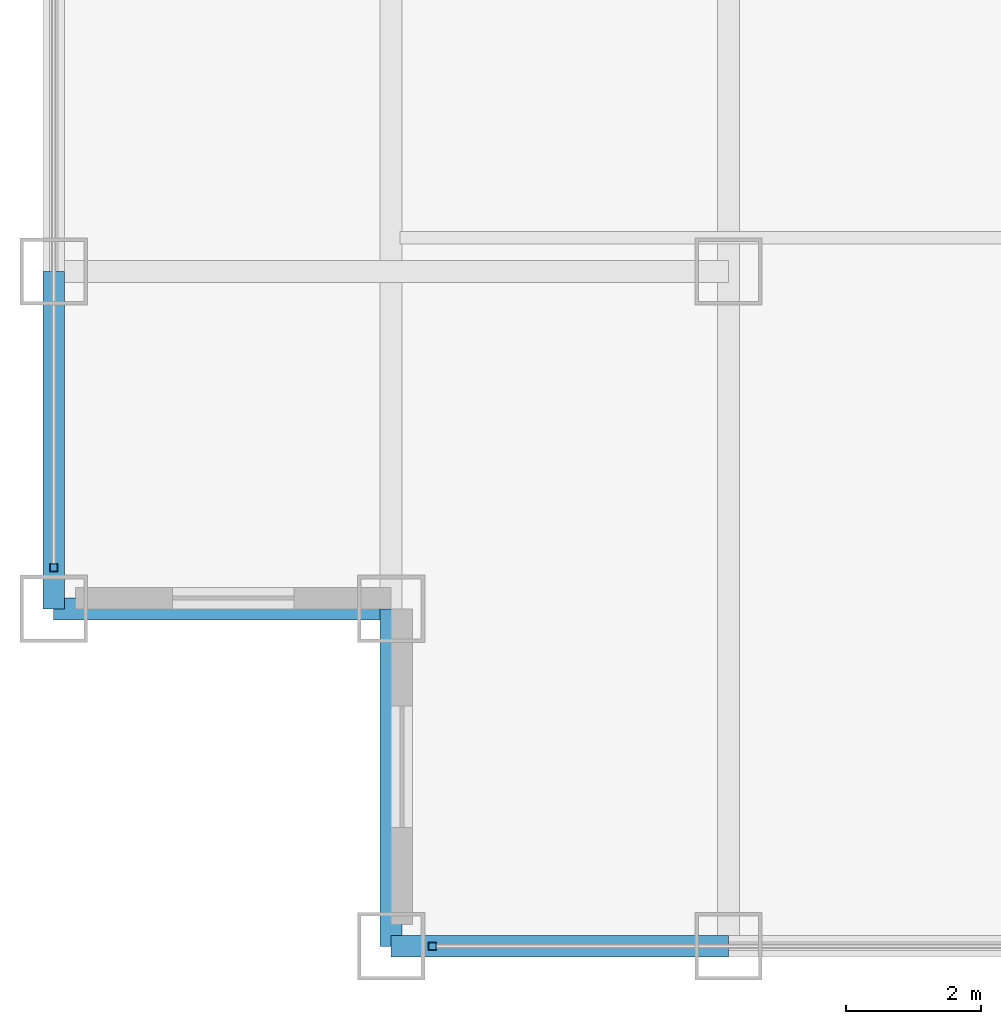
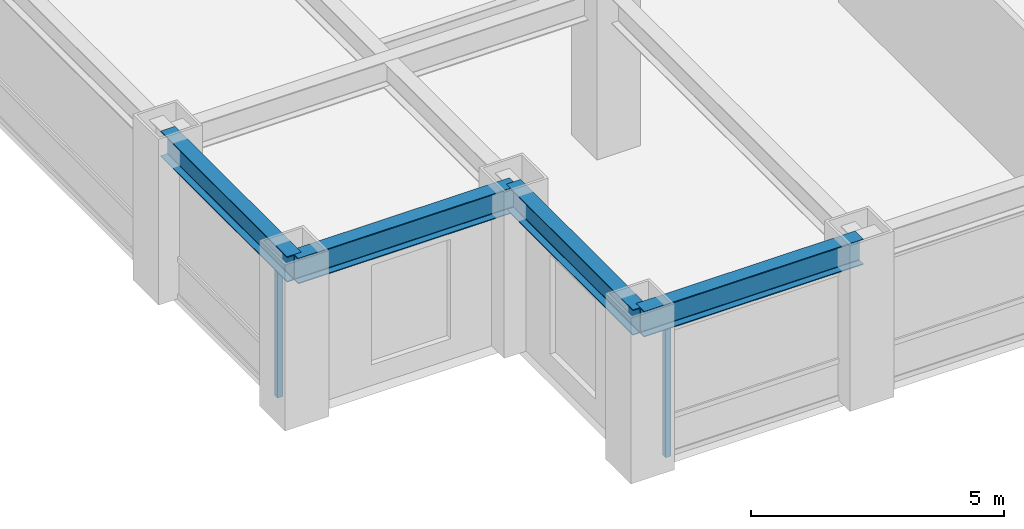
# One storey, part 2 of 25: 4 beams, 2 members, 2 elements without a shape of their own.
"""IFC4 building model written with IfcOpenShell, lengths in metres."""

from ifc_helpers import new_model, si_unit, direction, frame, origin, origin_2d, place, context, subcontext, project, spatial, hollow_rectangle, i_section, extrude, source, transform, mapped, material, material_profile, profile_set, type_object, element, aggregate, save


model = new_model("IFC4")

# Units and contexts
model_context = context("Model", 3, precision=1e-05, world=origin(), true_north=direction((0.0, 1.0)))
body_context = subcontext(model_context, "Body", "Model", "MODEL_VIEW")
ifc_project = project(units=[si_unit("LENGTHUNIT", "METRE"), si_unit("AREAUNIT", "SQUARE_METRE"), si_unit("VOLUMEUNIT", "CUBIC_METRE"), si_unit("PLANEANGLEUNIT", "RADIAN"), si_unit("MASSUNIT", "GRAM", prefix="KILO")], contexts=[model_context])

# Site, building, storey
site_placement = place(None, origin())
site = spatial("IfcSite", under=ifc_project, at=site_placement, CompositionType="ELEMENT")
building_placement = place(site_placement, origin())
building = spatial("IfcBuilding", under=site, at=building_placement, Name="Khorayat Bourse Tower", CompositionType="ELEMENT")
storey_placement = place(building_placement, frame((0.0, 0.0, 255.10009765625)))
storey = spatial("IfcBuildingStorey", under=building, at=storey_placement, Name="L60", CompositionType="ELEMENT", Elevation=255.10009765625)

# Beams
ifc_material_1 = material(Name="Steel ASTM A992 Grade 50", Category="steel")
ifc_material_profile_1 = material_profile(ifc_material_1, i_section(OverallWidth=0.324951171875, OverallDepth=0.615966796875, WebThickness=0.013916015625, FlangeThickness=0.021484375, FilletRadius=0.01611328125, at=origin_2d()), Name="W610X174")
ifc_profile_set_1 = profile_set([ifc_material_profile_1], Name="Steel ASTM A992 Grade 50")
beam_type = type_object("IfcBeamType", Name="BM-SPAN-610", PredefinedType="SPANDREL", material=ifc_profile_set_1)
shared_shape_1 = source(origin(), body_context, "Body", "SweptSolid", [
    extrude(i_section(OverallWidth=0.324951171875, OverallDepth=0.615966796875, WebThickness=0.013916015625, FlangeThickness=0.021484375, FilletRadius=0.01611328125, at=origin_2d()), origin(), (0.0, 0.0, 1.0), 5.0),
])
for number, where, z_axis, x_axis, name in (
    (1, (-25.0, -30.0, 3.471923828125), (1.0, 0.0, 0.0), (0.0, 1.0, 0.0), "L60 BM-SPAN-610 BM-L60-SPN-024"),
    (2, (-30.0, -25.0, 3.471923828125), (0.0, 1.0, 0.0), (-1.0, 0.0, 0.0), "L60 BM-SPAN-610 BM-L60-SPN-061"),
    (3, (-30.0, -25.0, 3.471923828125), (1.0, 0.0, 0.0), (0.0, 1.0, 0.0), "L60 BM-SPAN-610 BM-L60-SPN-062"),
    (4, (-25.0, -30.0, 3.471923828125), (0.0, 1.0, 0.0), (-1.0, 0.0, 0.0), "L60 BM-SPAN-610 BM-L60-SPN-063"),
):
    element("IfcBeam", number, at=place(storey_placement, frame(where, z_axis=z_axis, x_axis=x_axis)), inside=storey, type_object=beam_type, Name=name, PredefinedType="SPANDREL", context=body_context, shape_type="MappedRepresentation", body=[
        mapped(shared_shape_1, transform((0.0, 0.0, 0.0), scale=1.0)),
    ])

# Curtain wall, member
ifc_material_2 = material(Name="Aluminium EN AW-6063 T6", Category="aluminium")
curtain_wall_type = type_object("IfcCurtainWallType", Name="CW-SYS-03", PredefinedType="NOTDEFINED", material=ifc_material_2)
curtain_wall_1_placement = place(storey_placement, origin())
curtain_wall_1 = element("IfcCurtainWall", 5, at=curtain_wall_1_placement, inside=storey, type_object=curtain_wall_type, Name="L60 Curtain Wall CW-L60-S1", PredefinedType="NOTDEFINED")
ifc_material_profile_2 = material_profile(ifc_material_2, hollow_rectangle(XDim=0.1201171875, YDim=0.1201171875, WallThickness=0.0048828125, at=origin_2d()), Name="ALU 120x120x5")
ifc_profile_set_2 = profile_set([ifc_material_profile_2], Name="Aluminium EN AW-6063 T6")
member_type = type_object("IfcMemberType", Name="CWM-VERT-120", PredefinedType="MULLION", material=ifc_profile_set_2)
shared_shape_2 = source(origin(), body_context, "Body", "SweptSolid", [
    extrude(hollow_rectangle(XDim=0.1201171875, YDim=0.1201171875, WallThickness=0.0048828125, at=origin_2d()), origin(), (0.0, 0.0, 1.0), 3.1298828125),
])
member_1_placement = place(storey_placement, frame((-24.389892578125, -30.0, 0.0), z_axis=(0.0, 0.0, 1.0), x_axis=(0.0, 1.0, 0.0)))
member_1 = element("IfcMember", 6, at=member_1_placement, type_object=member_type, Name="CW-L60-S1 Vertical Mullion 1", PredefinedType="MULLION", context=body_context, shape_type="MappedRepresentation", body=[
    mapped(shared_shape_2, transform((0.0, 0.0, 0.0), scale=1.0)),
])
aggregate(curtain_wall_1, [member_1])

curtain_wall_2_placement = place(storey_placement, origin())
curtain_wall_2 = element("IfcCurtainWall", 7, at=curtain_wall_2_placement, inside=storey, type_object=curtain_wall_type, Name="L60 Curtain Wall CW-L60-W1", PredefinedType="NOTDEFINED")
member_2_placement = place(storey_placement, frame((-30.0, -24.389892578125, 0.0), z_axis=(0.0, 0.0, 1.0), x_axis=(-1.0, 0.0, 0.0)))
member_2 = element("IfcMember", 8, at=member_2_placement, type_object=member_type, Name="CW-L60-W1 Vertical Mullion 1", PredefinedType="MULLION", context=body_context, shape_type="MappedRepresentation", body=[
    mapped(shared_shape_2, transform((0.0, 0.0, 0.0), scale=1.0)),
])
aggregate(curtain_wall_2, [member_2])

save(model, "model.ifc")
